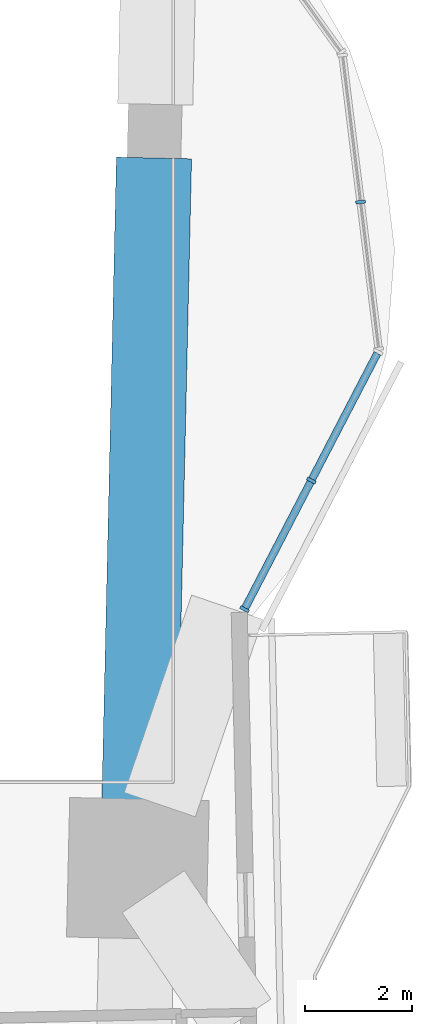
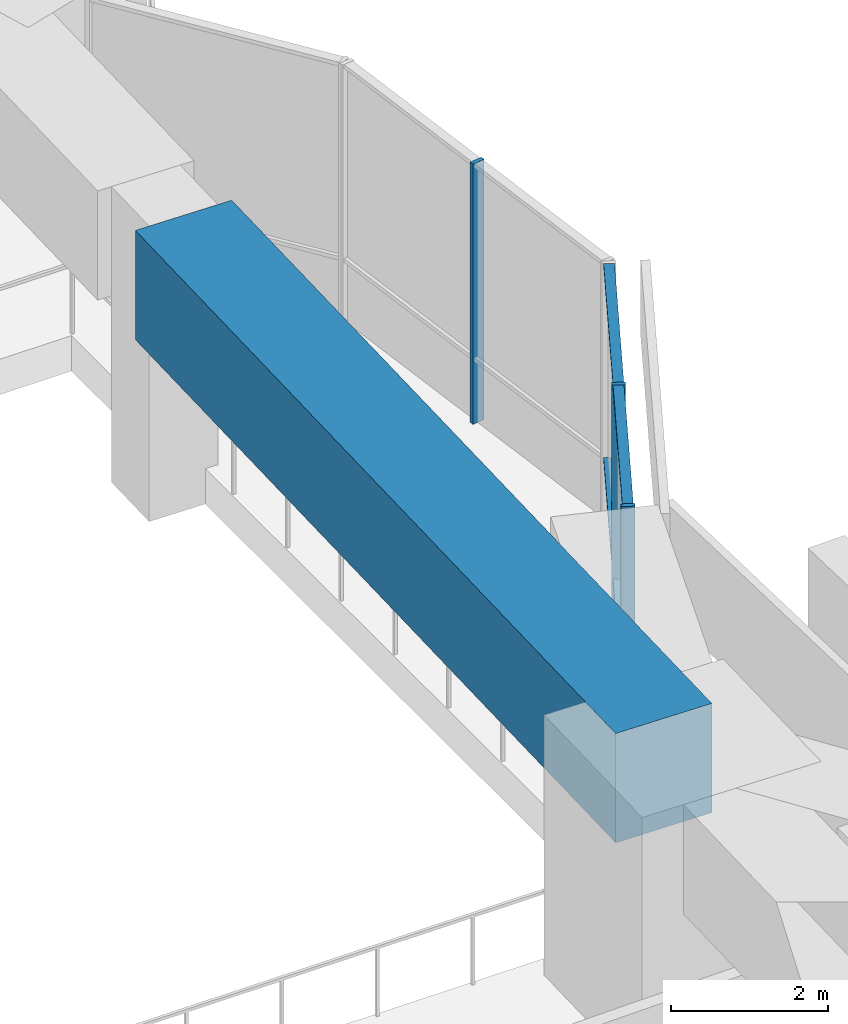
# One storey, part 4 of 21: 7 members, 1 beam, 2 elements without a shape of their own.
"""IFC4 building model written with IfcOpenShell, lengths in metres."""

from ifc_helpers import new_model, si_unit, direction, frame, origin, origin_2d, place, context, subcontext, project, spatial, rectangle, extrude, material, material_profile, profile_set, type_object, element, aggregate, save


model = new_model("IFC4")

# Units and contexts
model_context = context("Model", 3, precision=1e-05, world=origin(), true_north=direction((0.0, 1.0)))
body_context = subcontext(model_context, "Body", "Model", "MODEL_VIEW")
ifc_project = project(units=[si_unit("LENGTHUNIT", "METRE"), si_unit("AREAUNIT", "SQUARE_METRE"), si_unit("VOLUMEUNIT", "CUBIC_METRE"), si_unit("PLANEANGLEUNIT", "RADIAN"), si_unit("MASSUNIT", "GRAM", prefix="KILO")], contexts=[model_context])

# Site, building, storey
site_placement = place(None, origin())
site = spatial("IfcSite", under=ifc_project, at=site_placement, CompositionType="ELEMENT")
building_placement = place(site_placement, origin())
building = spatial("IfcBuilding", under=site, at=building_placement, Name="Mangrove Gate Tower", CompositionType="ELEMENT")
storey_placement = place(building_placement, frame((0.0, 0.0, 275.300048828125)))
storey = spatial("IfcBuildingStorey", under=building, at=storey_placement, Name="L70", CompositionType="ELEMENT", Elevation=275.300048828125)

# Curtain wall, members
ifc_material_1 = material(Name="Aluminium and glass curtain wall", Category="aluminium")
curtain_wall_type = type_object("IfcCurtainWallType", Name="Sky-lounge glazing wall", PredefinedType="NOTDEFINED", material=ifc_material_1)
curtain_wall_1_placement = place(storey_placement, origin())
curtain_wall_1 = element("IfcCurtainWall", 1, at=curtain_wall_1_placement, inside=storey, type_object=curtain_wall_type, Name="Sky-lounge glazing E1f1", PredefinedType="NOTDEFINED")
ifc_material_2 = material(Name="Aluminium alloy 6063-T6", Category="aluminium")
ifc_material_profile_1 = material_profile(ifc_material_2, rectangle(XDim=0.06005859375, YDim=0.179931640625, at=origin_2d()))
ifc_profile_set_1 = profile_set([ifc_material_profile_1], Name="Aluminium alloy 6063-T6")
member_type_1 = type_object("IfcMemberType", Name="Sky-lounge glazing mullion 60x180", PredefinedType="MULLION", material=ifc_profile_set_1)
member_1_placement = place(storey_placement, frame((31.2607421875, -4.31640625, 0.0), z_axis=(0.0, 0.0, 1.0), x_axis=(0.460707139795, 0.887552213305, 0.0)))
member_1 = element("IfcMember", 2, at=member_1_placement, type_object=member_type_1, Name="CWK mullion 1", PredefinedType="MULLION", context=body_context, shape_type="SweptSolid", body=[
    extrude(rectangle(XDim=0.06005859375, YDim=0.179931640625, at=origin_2d()), origin(), (0.0, 0.0, 1.0), 4.050048828125),
])
member_2_placement = place(storey_placement, frame((32.505615234375, -1.91845703125, 0.0), z_axis=(0.0, 0.0, 1.0), x_axis=(0.460707139795, 0.887552213305, 0.0)))
member_2 = element("IfcMember", 3, at=member_2_placement, type_object=member_type_1, Name="CWK mullion 2", PredefinedType="MULLION", context=body_context, shape_type="SweptSolid", body=[
    extrude(rectangle(XDim=0.06005859375, YDim=0.179931640625, at=origin_2d()), origin(), (0.0, 0.0, 1.0), 4.050048828125),
])

# Curtain wall, member
curtain_wall_2_placement = place(storey_placement, origin())
curtain_wall_2 = element("IfcCurtainWall", 4, at=curtain_wall_2_placement, inside=storey, type_object=curtain_wall_type, Name="Sky-lounge glazing E1f2", PredefinedType="NOTDEFINED")
member_3_placement = place(storey_placement, frame((33.42333984375, 3.27197265625, 0.0), z_axis=(0.0, 0.0, 1.0), x_axis=(-0.122172285885, 0.992508908051, 0.0)))
member_3 = element("IfcMember", 5, at=member_3_placement, type_object=member_type_1, Name="CWK mullion 2", PredefinedType="MULLION", context=body_context, shape_type="SweptSolid", body=[
    extrude(rectangle(XDim=0.06005859375, YDim=0.179931640625, at=origin_2d()), origin(), (0.0, 0.0, 1.0), 4.050048828125),
])
aggregate(curtain_wall_2, [member_3])

# Member
ifc_material_3 = material(Name="Aluminium alloy 6063-T6", Category="aluminium")
ifc_material_profile_2 = material_profile(ifc_material_3, rectangle(XDim=0.06005859375, YDim=0.139892578125, at=origin_2d()))
ifc_profile_set_2 = profile_set([ifc_material_profile_2], Name="Aluminium alloy 6063-T6")
member_type_2 = type_object("IfcMemberType", Name="Sky-lounge glazing transom 60x140", PredefinedType="USERDEFINED", material=ifc_profile_set_2)
member_4_placement = place(storey_placement, frame((31.274658203125, -4.289794921875, 1.0), z_axis=(0.460692081217, 0.88756002969, 0.0), x_axis=(0.0, 0.0, 1.0)))
member_4 = element("IfcMember", 6, at=member_4_placement, type_object=member_type_2, Name="CWK transom 1.2", ObjectType="TRANSOM", PredefinedType="USERDEFINED", context=body_context, shape_type="SweptSolid", body=[
    extrude(rectangle(XDim=0.06005859375, YDim=0.139892578125, at=origin_2d()), origin(), (0.0, 0.0, 1.0), 2.641845703125),
])

member_5_placement = place(storey_placement, frame((31.274658203125, -4.289794921875, 4.02001953125), z_axis=(0.460692081217, 0.88756002969, 0.0), x_axis=(0.0, 0.0, 1.0)))
member_5 = element("IfcMember", 7, at=member_5_placement, type_object=member_type_2, Name="CWK transom 1.3", ObjectType="TRANSOM", PredefinedType="USERDEFINED", context=body_context, shape_type="SweptSolid", body=[
    extrude(rectangle(XDim=0.06005859375, YDim=0.139892578125, at=origin_2d()), origin(), (0.0, 0.0, 1.0), 2.641845703125),
])

member_6_placement = place(storey_placement, frame((32.519287109375, -1.891845703125, 1.0), z_axis=(0.460729871913, 0.887540413236, 0.0), x_axis=(0.0, 0.0, 1.0)))
member_6 = element("IfcMember", 8, at=member_6_placement, type_object=member_type_2, Name="CWK transom 2.2", ObjectType="TRANSOM", PredefinedType="USERDEFINED", context=body_context, shape_type="SweptSolid", body=[
    extrude(rectangle(XDim=0.06005859375, YDim=0.139892578125, at=origin_2d()), origin(), (0.0, 0.0, 1.0), 2.6416015625),
])

member_7_placement = place(storey_placement, frame((32.519287109375, -1.891845703125, 4.02001953125), z_axis=(0.460729871913, 0.887540413236, 0.0), x_axis=(0.0, 0.0, 1.0)))
member_7 = element("IfcMember", 9, at=member_7_placement, type_object=member_type_2, Name="CWK transom 2.3", ObjectType="TRANSOM", PredefinedType="USERDEFINED", context=body_context, shape_type="SweptSolid", body=[
    extrude(rectangle(XDim=0.06005859375, YDim=0.139892578125, at=origin_2d()), origin(), (0.0, 0.0, 1.0), 2.6416015625),
])

aggregate(curtain_wall_1, [member_1, member_2, member_4, member_5, member_6, member_7])

# Beam
ifc_material_4 = material(Name="Concrete C50/60", Category="concrete")
ifc_material_profile_3 = material_profile(ifc_material_4, rectangle(XDim=1.39990234375, YDim=1.699951171875, at=origin_2d()))
ifc_profile_set_3 = profile_set([ifc_material_profile_3], Name="Concrete C50/60")
beam_type = type_object("IfcBeamType", Name="Transfer girder RC 1400x1700 C50/60", PredefinedType="BEAM", material=ifc_profile_set_3)
beam_placement = place(storey_placement, frame((29.284423828125, -8.65478515625, 3.199951171875), z_axis=(0.022689654485, 0.999742556651, 0.0), x_axis=(-0.999742556651, 0.022689654485, 0.0)))
element("IfcBeam", 10, at=beam_placement, inside=storey, type_object=beam_type, Name="Transfer ring girder L70 15", PredefinedType="BEAM", context=body_context, shape_type="SweptSolid", body=[
    extrude(rectangle(XDim=1.39990234375, YDim=1.699951171875, at=origin_2d()), origin(), (0.0, 0.0, 1.0), 12.75048828125),
])

save(model, "model.ifc")
